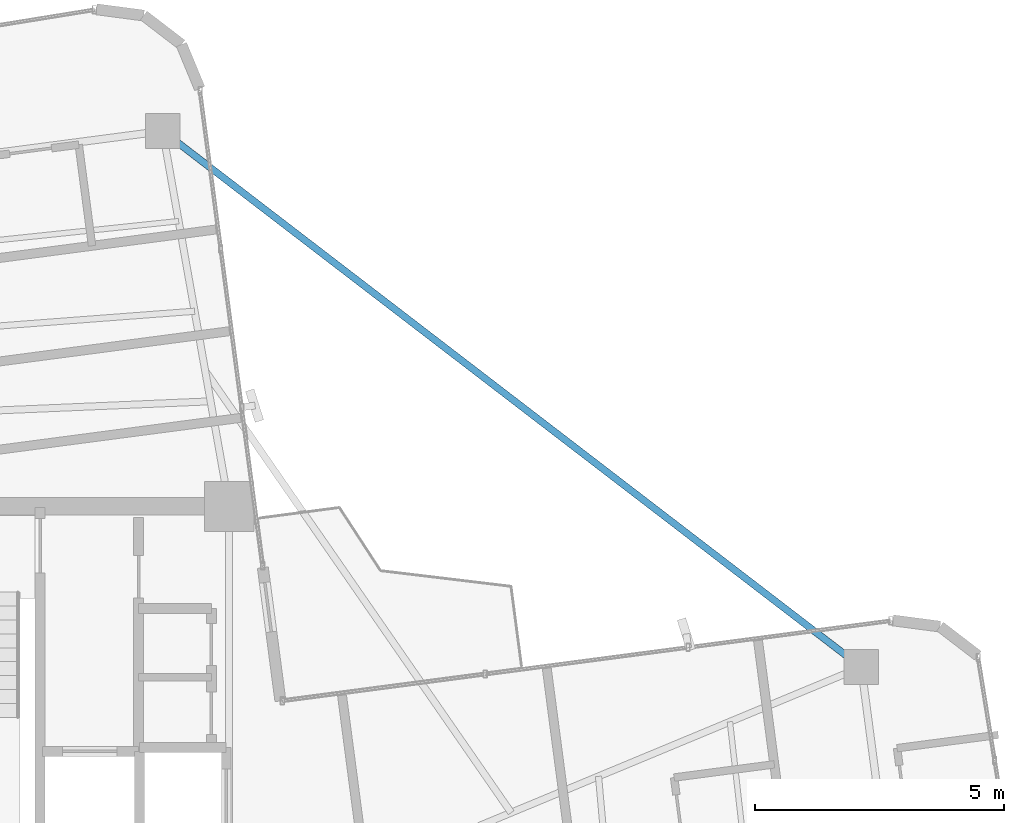
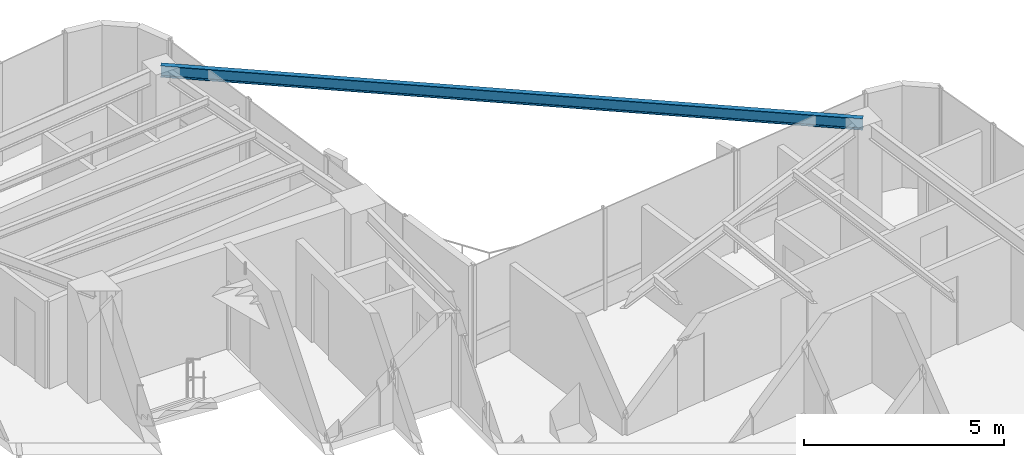
# One storey, part 15 of 23: 1 beam.
"""IFC4 building model written with IfcOpenShell, lengths in metres."""

from ifc_helpers import new_model, si_unit, direction, frame, origin, origin_2d, place, context, subcontext, project, spatial, i_section, extrude, source, transform, mapped, material, material_profile, profile_set, type_object, element, save


model = new_model("IFC4")

# Units and contexts
model_context = context("Model", 3, precision=1e-05, world=origin(), true_north=direction((0.0, 1.0)))
body_context = subcontext(model_context, "Body", "Model", "MODEL_VIEW")
ifc_project = project(units=[si_unit("LENGTHUNIT", "METRE"), si_unit("AREAUNIT", "SQUARE_METRE"), si_unit("VOLUMEUNIT", "CUBIC_METRE"), si_unit("PLANEANGLEUNIT", "RADIAN"), si_unit("MASSUNIT", "GRAM", prefix="KILO")], contexts=[model_context])

# Site, building, storey
site_placement = place(None, origin())
site = spatial("IfcSite", under=ifc_project, at=site_placement, CompositionType="ELEMENT")
building_placement = place(site_placement, origin())
building = spatial("IfcBuilding", under=site, at=building_placement, Name="Sahyath Konkavel Grand Hotel", CompositionType="ELEMENT")
storey_placement = place(building_placement, frame((0.0, 0.0, 251.199951171875)))
storey = spatial("IfcBuildingStorey", under=building, at=storey_placement, Name="L70", CompositionType="ELEMENT", Elevation=251.199951171875)

# Beam
ifc_material = material(Name="Steel E350", Category="steel")
ifc_material_profile = material_profile(ifc_material, i_section(OverallWidth=0.139892578125, OverallDepth=0.35009765625, WebThickness=0.008056640625, FlangeThickness=0.01416015625, FilletRadius=0.013916015625, at=origin_2d()), Name="ISMB 350")
ifc_profile_set = profile_set([ifc_material_profile], Name="Steel E350")
beam_type = type_object("IfcBeamType", Name="BM-ISMB350", PredefinedType="BEAM", material=ifc_profile_set)
shared_shape = source(origin(), body_context, "Body", "SweptSolid", [
    extrude(i_section(OverallWidth=0.139892578125, OverallDepth=0.35009765625, WebThickness=0.008056640625, FlangeThickness=0.01416015625, FilletRadius=0.013916015625, at=origin_2d()), origin(), (0.0, 0.0, 1.0), 17.6904296875),
])
beam_placement = place(storey_placement, frame((16.498291015625, 6.97119140625, 2.93505859375), z_axis=(-0.793362182031, 0.608749906055, 0.0), x_axis=(-0.608749906055, -0.793362182031, 0.0)))
element("IfcBeam", 1, at=beam_placement, inside=storey, type_object=beam_type, Name="L70 Re-Entrant Tie Beam NE", PredefinedType="BEAM", context=body_context, shape_type="MappedRepresentation", body=[
    mapped(shared_shape, transform((0.0, 0.0, 0.0), scale=1.0)),
])

save(model, "model.ifc")
